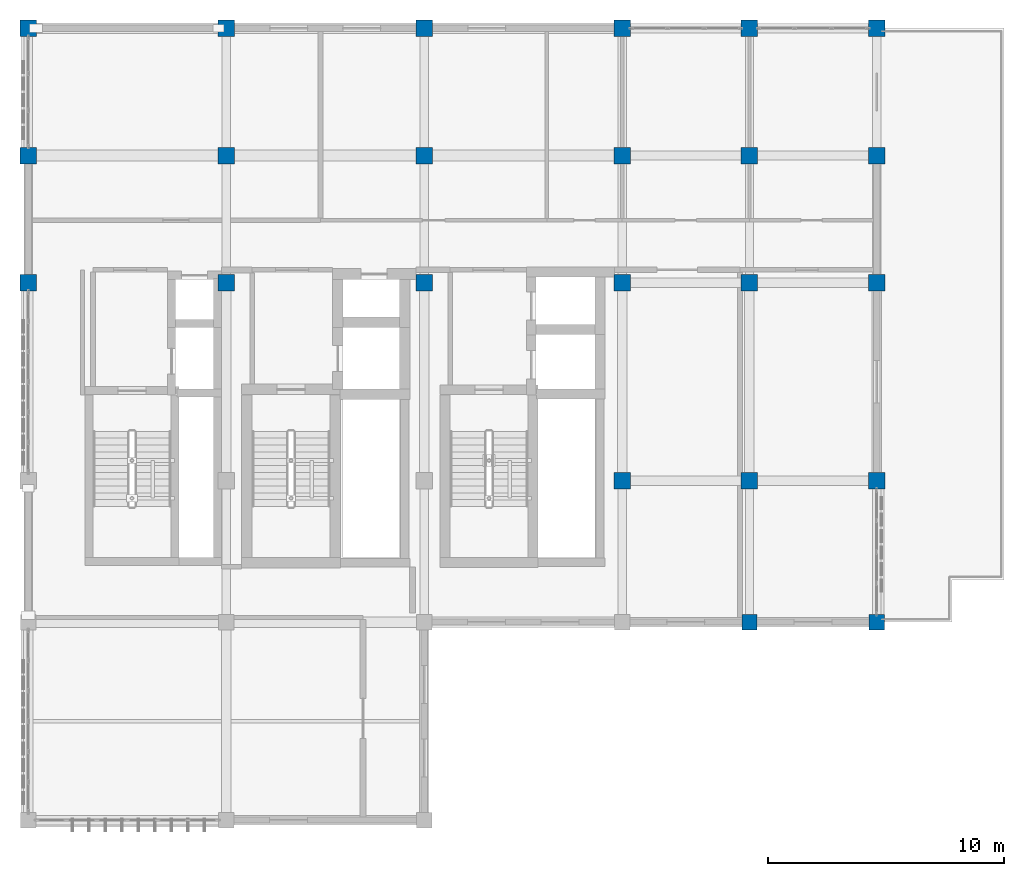
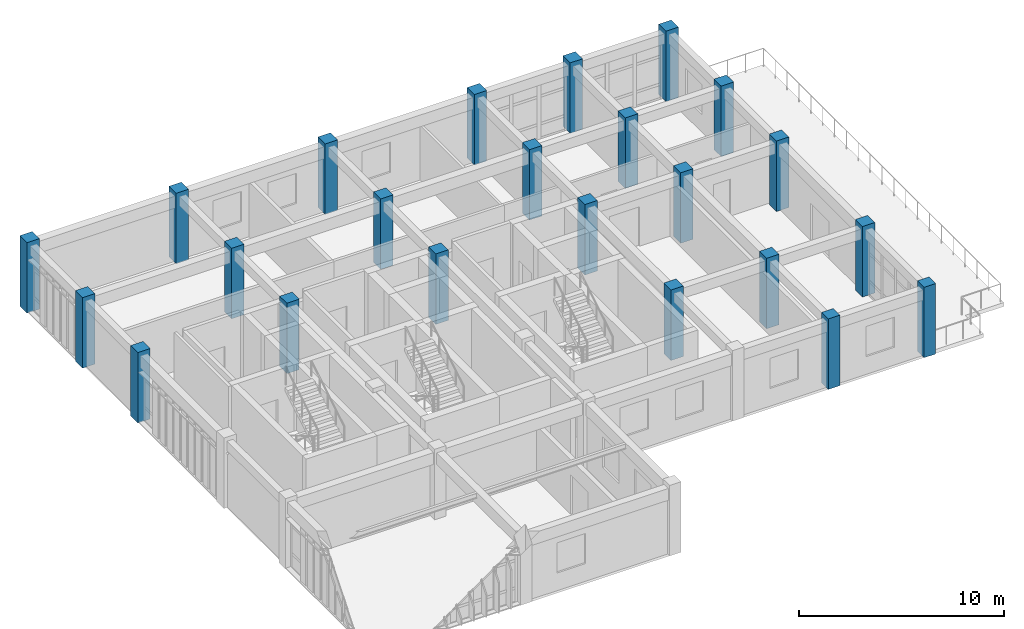
# One storey, part 3 of 23: 23 columns.
"""IFC4 building model written with IfcOpenShell, lengths in metres."""

from ifc_helpers import new_model, si_unit, direction, frame, origin, origin_2d, place, context, subcontext, project, spatial, rectangle, extrude, material, material_profile, profile_set, type_object, element, save


model = new_model("IFC4")

# Units and contexts
model_context = context("Model", 3, precision=1e-05, world=origin(), true_north=direction((0.0, 1.0)))
body_context = subcontext(model_context, "Body", "Model", "MODEL_VIEW")
ifc_project = project(units=[si_unit("LENGTHUNIT", "METRE"), si_unit("AREAUNIT", "SQUARE_METRE"), si_unit("VOLUMEUNIT", "CUBIC_METRE"), si_unit("PLANEANGLEUNIT", "RADIAN"), si_unit("MASSUNIT", "GRAM", prefix="KILO")], contexts=[model_context])

# Site, building, storey
site_placement = place(None, origin())
site = spatial("IfcSite", under=ifc_project, at=site_placement, CompositionType="ELEMENT")
building_placement = place(site_placement, origin())
building = spatial("IfcBuilding", under=site, at=building_placement, Name="Krzemoval Escarpment Law Courts", CompositionType="ELEMENT")
storey_placement = place(building_placement, frame((0.0, 0.0, 33.60009765625)))
storey = spatial("IfcBuildingStorey", under=building, at=storey_placement, Name="L07", CompositionType="ELEMENT", Elevation=33.60009765625)

# Columns
ifc_material_1 = material(Name="Concrete C40/50", Category="concrete")
ifc_material_profile_1 = material_profile(ifc_material_1, rectangle(XDim=0.64990234375, YDim=0.64990234375, at=origin_2d()), Name="RC 650x650")
ifc_profile_set_1 = profile_set([ifc_material_profile_1], Name="Concrete C40/50")
column_type_1 = type_object("IfcColumnType", Name="COL-RC-650", PredefinedType="COLUMN", material=ifc_profile_set_1)
for number, where, z_axis, x_axis, name in (
    (1, (156.60009765625, 93.60009765625, 0.0), (0.0, 0.0, 1.0), (1.0, 0.0, 0.0), "Column FC-L07-1352"),
    (2, (162.0, 93.60009765625, 0.0), (0.0, 0.0, 1.0), (1.0, 0.0, 0.0), "Column FC-L07-1357"),
):
    element("IfcColumn", number, at=place(storey_placement, frame(where, z_axis=z_axis, x_axis=x_axis)), inside=storey, type_object=column_type_1, Name=name, PredefinedType="COLUMN", context=body_context, shape_type="SweptSolid", body=[
        extrude(rectangle(XDim=0.64990234375, YDim=0.64990234375, at=origin_2d()), origin(), (0.0, 0.0, 1.0), 4.199951171875),
    ])
ifc_material_2 = material(Name="Concrete C40/50", Category="concrete")
ifc_material_profile_2 = material_profile(ifc_material_2, rectangle(XDim=0.699951171875, YDim=0.699951171875, at=origin_2d()), Name="RC 700x700")
ifc_profile_set_2 = profile_set([ifc_material_profile_2], Name="Concrete C40/50")
column_type_2 = type_object("IfcColumnType", Name="COL-RC-700", PredefinedType="COLUMN", material=ifc_profile_set_2)
for number, where, z_axis, x_axis, name in (
    (3, (126.0, 108.0, 0.0), (0.0, 0.0, 1.0), (1.0, 0.0, 0.0), "Column FC-L07-1332"),
    (4, (126.0, 113.39990234375, 0.0), (0.0, 0.0, 1.0), (1.0, 0.0, 0.0), "Column FC-L07-1333"),
    (5, (126.0, 118.800048828125, 0.0), (0.0, 0.0, 1.0), (1.0, 0.0, 0.0), "Column FC-L07-1334"),
    (6, (134.39990234375, 108.0, 0.0), (0.0, 0.0, 1.0), (1.0, 0.0, 0.0), "Column FC-L07-1338"),
    (7, (134.39990234375, 113.39990234375, 0.0), (0.0, 0.0, 1.0), (1.0, 0.0, 0.0), "Column FC-L07-1339"),
    (8, (134.39990234375, 118.800048828125, 0.0), (0.0, 0.0, 1.0), (1.0, 0.0, 0.0), "Column FC-L07-1340"),
    (9, (142.800048828125, 108.0, 0.0), (0.0, 0.0, 1.0), (1.0, 0.0, 0.0), "Column FC-L07-1344"),
    (10, (142.800048828125, 113.39990234375, 0.0), (0.0, 0.0, 1.0), (1.0, 0.0, 0.0), "Column FC-L07-1345"),
    (11, (142.800048828125, 118.800048828125, 0.0), (0.0, 0.0, 1.0), (1.0, 0.0, 0.0), "Column FC-L07-1346"),
    (12, (151.199951171875, 99.60009765625, 0.0), (0.0, 0.0, 1.0), (1.0, 0.0, 0.0), "Column FC-L07-1348"),
    (13, (151.199951171875, 108.0, 0.0), (0.0, 0.0, 1.0), (1.0, 0.0, 0.0), "Column FC-L07-1349"),
    (14, (151.199951171875, 113.39990234375, 0.0), (0.0, 0.0, 1.0), (1.0, 0.0, 0.0), "Column FC-L07-1350"),
    (15, (151.199951171875, 118.800048828125, 0.0), (0.0, 0.0, 1.0), (1.0, 0.0, 0.0), "Column FC-L07-1351"),
    (16, (156.60009765625, 99.60009765625, 0.0), (0.0, 0.0, 1.0), (1.0, 0.0, 0.0), "Column FC-L07-1353"),
    (17, (156.60009765625, 108.0, 0.0), (0.0, 0.0, 1.0), (1.0, 0.0, 0.0), "Column FC-L07-1354"),
    (18, (156.60009765625, 113.39990234375, 0.0), (0.0, 0.0, 1.0), (1.0, 0.0, 0.0), "Column FC-L07-1355"),
    (19, (156.60009765625, 118.800048828125, 0.0), (0.0, 0.0, 1.0), (1.0, 0.0, 0.0), "Column FC-L07-1356"),
    (20, (162.0, 99.60009765625, 0.0), (0.0, 0.0, 1.0), (1.0, 0.0, 0.0), "Column FC-L07-1358"),
    (21, (162.0, 108.0, 0.0), (0.0, 0.0, 1.0), (1.0, 0.0, 0.0), "Column FC-L07-1359"),
    (22, (162.0, 113.39990234375, 0.0), (0.0, 0.0, 1.0), (1.0, 0.0, 0.0), "Column FC-L07-1360"),
    (23, (162.0, 118.800048828125, 0.0), (0.0, 0.0, 1.0), (1.0, 0.0, 0.0), "Column FC-L07-1361"),
):
    element("IfcColumn", number, at=place(storey_placement, frame(where, z_axis=z_axis, x_axis=x_axis)), inside=storey, type_object=column_type_2, Name=name, PredefinedType="COLUMN", context=body_context, shape_type="SweptSolid", body=[
        extrude(rectangle(XDim=0.699951171875, YDim=0.699951171875, at=origin_2d()), origin(), (0.0, 0.0, 1.0), 4.199951171875),
    ])

save(model, "model.ifc")
